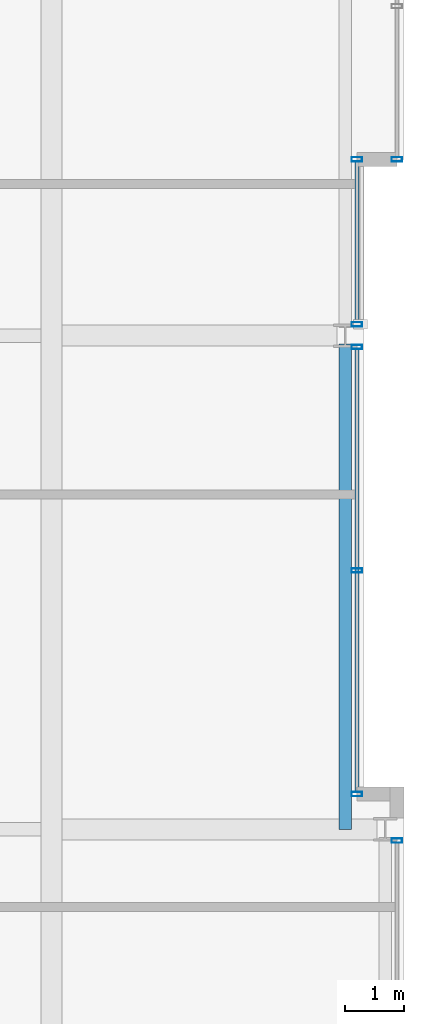
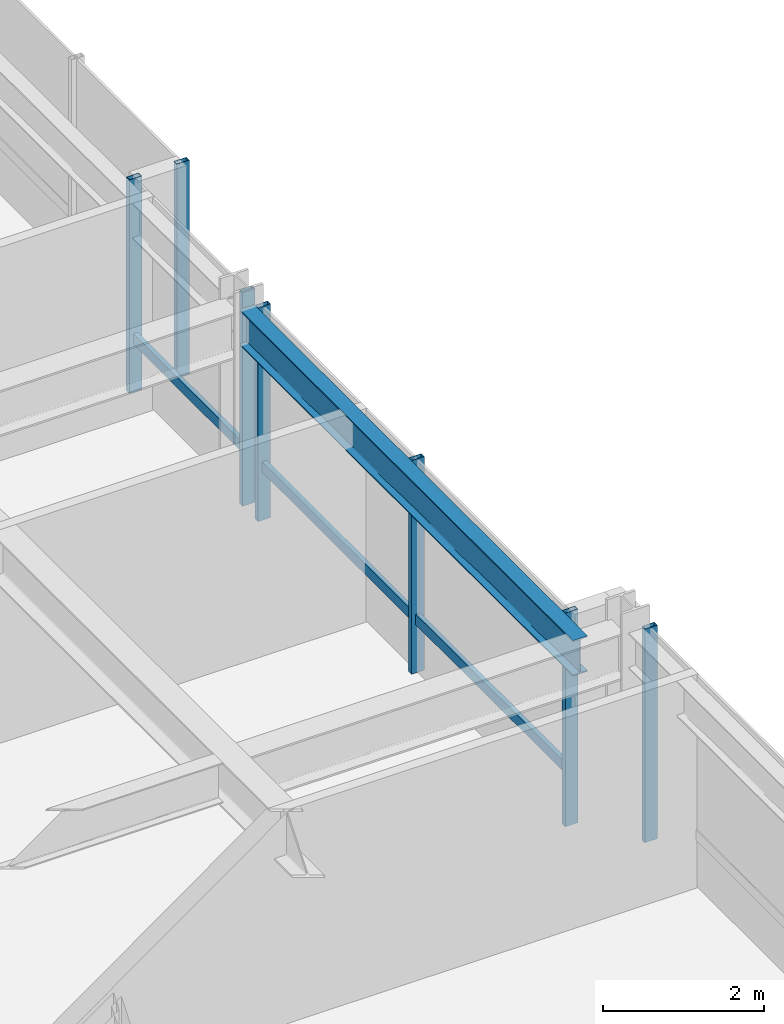
# One storey, part 15 of 33: 9 members, 1 beam, 4 elements without a shape of their own.
"""IFC4 building model written with IfcOpenShell, lengths in metres."""

import ifcopenshell
import ifcopenshell.guid

model = None  # the IFC model being written
_history = None  # IfcOwnerHistory: only IFC2X3 demands one
_inside = {}  # id of a spatial element -> (the spatial element, [elements in it])
_under = {}  # id of a project, library or spatial element -> (it, [spatial elements below it])
_declared = {}  # id of a project -> (the project, [libraries it declares])
_typed = {}  # id of a type object -> (the type object, [elements of that type])
_made_of = {}  # id of a material, layer set ... -> (it, [elements and type objects made of it])


def new_model(schema):
    """Start an empty IFC model of exactly this schema.

    Asked for "IFC4X3", IfcOpenShell would pick the latest addendum, in which some entities
    have other attributes; the version numbers below select the first issue.
    IFC2X3 requires an IfcOwnerHistory on every rooted entity: one is made here for all.
    """
    global model, _history
    if schema == "IFC4X3":
        model = ifcopenshell.file(schema_version=(4, 3, 0, 0))
    else:
        model = ifcopenshell.file(schema=schema)
    _inside.clear()
    _under.clear()
    _declared.clear()
    _typed.clear()
    _made_of.clear()
    _history = None
    if model.schema == "IFC2X3":
        org = make("IfcOrganization", Name="unknown")
        user = make(
            "IfcPersonAndOrganization",
            ThePerson=make("IfcPerson", FamilyName="unknown"),
            TheOrganization=org,
        )
        app = make(
            "IfcApplication",
            ApplicationDeveloper=org,
            Version="unknown",
            ApplicationFullName="unknown",
            ApplicationIdentifier="unknown",
        )
        _history = make(
            "IfcOwnerHistory",
            OwningUser=user,
            OwningApplication=app,
            ChangeAction="ADDED",
            CreationDate=0,
        )
    return model


def make(cls, **values):
    """One entity of the class cls with the attributes given. An attribute that is None is left unset."""
    return model.create_entity(
        cls, **{name: value for name, value in values.items() if value is not None}
    )


def rooted(cls, **values):
    """An entity with a GlobalId (a new one), such as an element, a storey or a relation."""
    return make(cls, GlobalId=ifcopenshell.guid.new(), OwnerHistory=_history, **values)


def si_unit(unit_type, name, prefix=None):
    """IfcSIUnit, for example si_unit("LENGTHUNIT", "METRE", prefix="MILLI")."""
    return make("IfcSIUnit", UnitType=unit_type, Prefix=prefix, Name=name)


def assignment(units):
    """IfcUnitAssignment: the units of a project."""
    return None if units is None else make("IfcUnitAssignment", Units=units)


def point(xyz):
    """IfcCartesianPoint."""
    return None if xyz is None else make("IfcCartesianPoint", Coordinates=xyz)


def direction(xyz):
    """IfcDirection."""
    return None if xyz is None else make("IfcDirection", DirectionRatios=xyz)


def frame(location, z_axis=None, x_axis=None):
    """IfcAxis2Placement3D, a coordinate frame: its origin and axes. An axis left out is left unset."""
    return make(
        "IfcAxis2Placement3D",
        Location=point(location),
        Axis=direction(z_axis),
        RefDirection=direction(x_axis),
    )


def frame_2d(location, x_axis=None):
    """IfcAxis2Placement2D, a coordinate frame in the plane: its origin and x axis."""
    return make(
        "IfcAxis2Placement2D", Location=point(location), RefDirection=direction(x_axis)
    )


def origin():
    """The frame at (0, 0, 0) with its axes left unset."""
    return frame((0.0, 0.0, 0.0))


def origin_2d():
    """The frame at (0, 0) in the plane with its x axis left unset."""
    return frame_2d((0.0, 0.0))


def place(relative_to, where):
    """IfcLocalPlacement: puts the frame where relative to a parent placement (None: the world)."""
    return make(
        "IfcLocalPlacement", PlacementRelTo=relative_to, RelativePlacement=where
    )


def context(
    kind, dimensions, precision=None, world=None, true_north=None, identifier=None
):
    """IfcGeometricRepresentationContext, for example the 3D "Model" context."""
    return make(
        "IfcGeometricRepresentationContext",
        ContextIdentifier=identifier,
        ContextType=kind,
        CoordinateSpaceDimension=dimensions,
        Precision=precision,
        WorldCoordinateSystem=world,
        TrueNorth=true_north,
    )


def subcontext(parent, identifier, kind, view, scale=None):
    """IfcGeometricRepresentationSubContext, for example "Body" below "Model"."""
    return make(
        "IfcGeometricRepresentationSubContext",
        ContextIdentifier=identifier,
        ContextType=kind,
        ParentContext=parent,
        TargetScale=scale,
        TargetView=view,
    )


def project(units=None, contexts=None):
    """IfcProject with its units and contexts."""
    return rooted(
        "IfcProject",
        Name="project",
        RepresentationContexts=contexts,
        UnitsInContext=assignment(units),
    )


def spatial(cls, under=None, at=None, **own):
    """A site, building, storey or space (cls), placed at a placement, below another one or the project."""
    s = rooted(cls, ObjectPlacement=at, **own)
    if under is not None:
        _under.setdefault(under.id(), (under, []))[1].append(s)
    return s


def profile(cls, at=None, kind="AREA", **sizes):
    """A parametric profile (cls). Its sizes go by their IFC names, for example OverallWidth=200.0."""
    return make(cls, ProfileType=kind, Position=at, **sizes)


def hollow_rectangle(**sizes):
    """IfcRectangleHollowProfileDef."""
    return profile("IfcRectangleHollowProfileDef", **sizes)


def i_section(**sizes):
    """IfcIShapeProfileDef."""
    return profile("IfcIShapeProfileDef", **sizes)


def extrude(swept, where, along, depth):
    """IfcExtrudedAreaSolid: the profile swept, set in the frame where, extruded along a direction by depth."""
    return make(
        "IfcExtrudedAreaSolid",
        SweptArea=swept,
        Position=where,
        ExtrudedDirection=direction(along),
        Depth=depth,
    )


def shape(context_of_items, identifier, shape_type, items):
    """IfcShapeRepresentation: the items that make up one representation, for example the "Body"."""
    return make(
        "IfcShapeRepresentation",
        ContextOfItems=context_of_items,
        RepresentationIdentifier=identifier,
        RepresentationType=shape_type,
        Items=items,
    )


def material(Name=None, Category=None):
    """IfcMaterial."""
    return make("IfcMaterial", Name=Name, Category=Category)


def layer(
    of_material, thickness, ventilated=None, Name=None, Category=None, Priority=None
):
    """IfcMaterialLayer: one layer of a wall or slab, of a material (None: an air gap)."""
    return make(
        "IfcMaterialLayer",
        Material=of_material,
        LayerThickness=thickness,
        IsVentilated=ventilated,
        Name=Name,
        Category=Category,
        Priority=Priority,
    )


def layer_set(layers, Name=None):
    """IfcMaterialLayerSet."""
    return make("IfcMaterialLayerSet", MaterialLayers=layers, LayerSetName=Name)


def material_profile(
    of_material, cross_section, Name=None, Category=None, Priority=None
):
    """IfcMaterialProfile: a cross section and its material."""
    return make(
        "IfcMaterialProfile",
        Name=Name,
        Material=of_material,
        Profile=cross_section,
        Priority=Priority,
        Category=Category,
    )


def profile_set(profiles, Name=None, composite=None):
    """IfcMaterialProfileSet."""
    return make(
        "IfcMaterialProfileSet",
        Name=Name,
        MaterialProfiles=profiles,
        CompositeProfile=composite,
    )


def made_of(thing, what):
    """Note that an element or type object is made of a material, layer set ...; save() writes the relation."""
    if what is not None:
        _made_of.setdefault(what.id(), (what, []))[1].append(thing)
    return thing


def type_object(cls, material=None, **own):
    """A type object (cls), such as IfcWallType, which elements share."""
    return made_of(rooted(cls, **own), material)


def element(
    cls,
    number,
    at=None,
    inside=None,
    cuts=None,
    type_object=None,
    material=None,
    context=None,
    identifier="Body",
    shape_type=None,
    held_by="IfcProductDefinitionShape",
    body=None,
    shapes=None,
    **own,
):
    """One element of the class cls, such as IfcWall. Its Tag is "e" and its number.

    at: its placement. inside: the storey or other place that contains it. cuts: it is an
    opening in that element (IfcRelVoidsElement). A single representation is given by context,
    identifier, shape_type and body (its items); several are given by shapes. held_by: the class
    of the entity that holds the representations. save() writes the other relations.
    """
    e = rooted(cls, Tag="e%d" % number, ObjectPlacement=at, **own)
    if body is not None:
        shapes = [shape(context, identifier, shape_type, body)]
    if shapes is not None:
        e.Representation = make(held_by, Representations=shapes)
    if inside is not None:
        _inside.setdefault(inside.id(), (inside, []))[1].append(e)
    if cuts is not None:
        rooted(
            "IfcRelVoidsElement", RelatingBuildingElement=cuts, RelatedOpeningElement=e
        )
    if type_object is not None:
        _typed.setdefault(type_object.id(), (type_object, []))[1].append(e)
    return made_of(e, material)


def aggregate(whole, parts):
    """IfcRelAggregates: a whole, such as a stair, and the parts it consists of."""
    return rooted("IfcRelAggregates", RelatingObject=whole, RelatedObjects=parts)


def save(model, path):
    """Write the relations noted so far, then the file.

    IfcRelAggregates (storeys below a building ...), IfcRelContainedInSpatialStructure (elements
    in a storey), IfcRelDefinesByType, IfcRelAssociatesMaterial and IfcRelDeclares: one each for
    every whole, place, type object, material and project.
    """
    for whole, parts in _under.values():
        aggregate(whole, parts)
    for where, things in _inside.values():
        rooted(
            "IfcRelContainedInSpatialStructure",
            RelatedElements=things,
            RelatingStructure=where,
        )
    for kind, things in _typed.values():
        rooted("IfcRelDefinesByType", RelatedObjects=things, RelatingType=kind)
    for what, things in _made_of.values():
        rooted("IfcRelAssociatesMaterial", RelatedObjects=things, RelatingMaterial=what)
    for by, libraries in _declared.values():
        rooted("IfcRelDeclares", RelatingContext=by, RelatedDefinitions=libraries)
    model.write(path)


model = new_model("IFC4")

# Units and contexts
model_context = context("Model", 3, precision=1e-05, world=origin(), true_north=direction((0.0, 1.0)))
body_context = subcontext(model_context, "Body", "Model", "MODEL_VIEW")
ifc_project = project(units=[si_unit("LENGTHUNIT", "METRE"), si_unit("AREAUNIT", "SQUARE_METRE"), si_unit("VOLUMEUNIT", "CUBIC_METRE"), si_unit("PLANEANGLEUNIT", "RADIAN"), si_unit("MASSUNIT", "GRAM", prefix="KILO")], contexts=[model_context])

# Site, building, storey
site_placement = place(None, origin())
site = spatial("IfcSite", under=ifc_project, at=site_placement, CompositionType="ELEMENT")
building_placement = place(site_placement, origin())
building = spatial("IfcBuilding", under=site, at=building_placement, Name="Drelvath Grand Hotel", CompositionType="ELEMENT")
storey_placement = place(building_placement, frame((0.0, 0.0, 196.550048828125)))
storey = spatial("IfcBuildingStorey", under=building, at=storey_placement, Name="L51", CompositionType="ELEMENT", Elevation=196.550048828125)

# Curtain wall, member
ifc_material_1 = material(Name="Brushed Pale-Silver Anodised Aluminium Frame", Category="aluminium")
ifc_layer = layer(ifc_material_1, 0.199951171875)
ifc_layer_set = layer_set([ifc_layer], Name="Brushed Pale-Silver Anodised Aluminium Frame")
curtain_wall_type = type_object("IfcCurtainWallType", Name="Stick Curtain Wall CW-04 Brushed Silver Upper-Mid", PredefinedType="NOTDEFINED", material=ifc_layer_set)
curtain_wall_1_placement = place(storey_placement, origin())
curtain_wall_1 = element("IfcCurtainWall", 1, at=curtain_wall_1_placement, inside=storey, type_object=curtain_wall_type, Name="L51 CW-04 Curtain Wall CW04-L51-EM1", PredefinedType="NOTDEFINED")
ifc_material_profile_1 = material_profile(ifc_material_1, hollow_rectangle(XDim=0.06494140625, YDim=0.159912109375, WallThickness=0.00390625, at=origin_2d()), Name="HSS160X65X4")
ifc_profile_set_1 = profile_set([ifc_material_profile_1], Name="Brushed Pale-Silver Anodised Aluminium Frame")
member_type_1 = type_object("IfcMemberType", Name="Curtain Wall Horizontal Transom CW-04 HSS160X65X4", PredefinedType="USERDEFINED", material=ifc_profile_set_1)
member_1_placement = place(storey_placement, frame((21.39990234375, 26.768310546875, 0.807373046875), z_axis=(0.0, -1.0, 0.0), x_axis=(1.0, 0.0, 0.0)))
member_1 = element("IfcMember", 2, at=member_1_placement, type_object=member_type_1, Name="CW04-L51-EM1 Sill Transom", ObjectType="TRANSOM", PredefinedType="USERDEFINED", context=body_context, shape_type="SweptSolid", body=[
    extrude(hollow_rectangle(XDim=0.06494140625, YDim=0.159912109375, WallThickness=0.00390625, at=origin_2d()), origin(), (0.0, 0.0, 1.0), 7.5283203125),
])

curtain_wall_2_placement = place(storey_placement, origin())
curtain_wall_2 = element("IfcCurtainWall", 3, at=curtain_wall_2_placement, inside=storey, type_object=curtain_wall_type, Name="L51 CW-04 Curtain Wall CW04-L51-EM2", PredefinedType="NOTDEFINED")
member_2_placement = place(storey_placement, frame((21.39990234375, 29.9599609375, 0.807373046875), z_axis=(0.0, -1.0, 0.0), x_axis=(1.0, 0.0, 0.0)))
member_2 = element("IfcMember", 4, at=member_2_placement, type_object=member_type_1, Name="CW04-L51-EM2 Sill Transom", ObjectType="TRANSOM", PredefinedType="USERDEFINED", context=body_context, shape_type="SweptSolid", body=[
    extrude(hollow_rectangle(XDim=0.06494140625, YDim=0.159912109375, WallThickness=0.00390625, at=origin_2d()), origin(), (0.0, 0.0, 1.0), 2.728271484375),
])

curtain_wall_3_placement = place(storey_placement, origin())
curtain_wall_3 = element("IfcCurtainWall", 5, at=curtain_wall_3_placement, inside=storey, type_object=curtain_wall_type, Name="L51 CW-04 Curtain Wall CW04-L51-EN1", PredefinedType="NOTDEFINED")
ifc_material_profile_2 = material_profile(ifc_material_1, hollow_rectangle(XDim=0.074951171875, YDim=0.179931640625, WallThickness=0.0048828125, at=origin_2d()), Name="HSS180X75X5")
ifc_profile_set_2 = profile_set([ifc_material_profile_2], Name="Brushed Pale-Silver Anodised Aluminium Frame")
member_type_2 = type_object("IfcMemberType", Name="Curtain Wall Vertical Mullion CW-04 HSS180X75X5", PredefinedType="MULLION", material=ifc_profile_set_2)
member_3_placement = place(storey_placement, frame((22.080078125, 30.0, 0.0), z_axis=(0.0, 0.0, 1.0), x_axis=(0.0, 1.0, 0.0)))
member_3 = element("IfcMember", 6, at=member_3_placement, type_object=member_type_2, Name="CW04-L51-EN1 Mullion 3", PredefinedType="MULLION", context=body_context, shape_type="SweptSolid", body=[
    extrude(hollow_rectangle(XDim=0.074951171875, YDim=0.179931640625, WallThickness=0.0048828125, at=origin_2d()), origin(), (0.0, 0.0, 1.0), 3.22998046875),
])
aggregate(curtain_wall_3, [member_3])

# Member
member_4_placement = place(storey_placement, frame((21.39990234375, 26.808349609375, 0.0), z_axis=(0.0, 0.0, 1.0), x_axis=(0.0, 1.0, 0.0)))
member_4 = element("IfcMember", 7, at=member_4_placement, type_object=member_type_2, Name="CW04-L51-EM1 Mullion 1", PredefinedType="MULLION", context=body_context, shape_type="SweptSolid", body=[
    extrude(hollow_rectangle(XDim=0.074951171875, YDim=0.179931640625, WallThickness=0.0048828125, at=origin_2d()), origin(), (0.0, 0.0, 1.0), 3.22998046875),
])

member_5_placement = place(storey_placement, frame((21.39990234375, 23.004150390625, 0.0), z_axis=(0.0, 0.0, 1.0), x_axis=(0.0, 1.0, 0.0)))
member_5 = element("IfcMember", 8, at=member_5_placement, type_object=member_type_2, Name="CW04-L51-EM1 Mullion 2", PredefinedType="MULLION", context=body_context, shape_type="SweptSolid", body=[
    extrude(hollow_rectangle(XDim=0.074951171875, YDim=0.179931640625, WallThickness=0.0048828125, at=origin_2d()), origin(), (0.0, 0.0, 1.0), 3.22998046875),
])

member_6_placement = place(storey_placement, frame((21.39990234375, 19.199951171875, 0.0), z_axis=(0.0, 0.0, 1.0), x_axis=(0.0, 1.0, 0.0)))
member_6 = element("IfcMember", 9, at=member_6_placement, type_object=member_type_2, Name="CW04-L51-EM1 Mullion 3", PredefinedType="MULLION", context=body_context, shape_type="SweptSolid", body=[
    extrude(hollow_rectangle(XDim=0.074951171875, YDim=0.179931640625, WallThickness=0.0048828125, at=origin_2d()), origin(), (0.0, 0.0, 1.0), 3.22998046875),
])

aggregate(curtain_wall_1, [member_4, member_5, member_6, member_1])

member_7_placement = place(storey_placement, frame((21.39990234375, 30.0, 0.0), z_axis=(0.0, 0.0, 1.0), x_axis=(0.0, 1.0, 0.0)))
member_7 = element("IfcMember", 10, at=member_7_placement, type_object=member_type_2, Name="CW04-L51-EM2 Mullion 1", PredefinedType="MULLION", context=body_context, shape_type="SweptSolid", body=[
    extrude(hollow_rectangle(XDim=0.074951171875, YDim=0.179931640625, WallThickness=0.0048828125, at=origin_2d()), origin(), (0.0, 0.0, 1.0), 3.22998046875),
])

member_8_placement = place(storey_placement, frame((21.39990234375, 27.191650390625, 0.0), z_axis=(0.0, 0.0, 1.0), x_axis=(0.0, 1.0, 0.0)))
member_8 = element("IfcMember", 11, at=member_8_placement, type_object=member_type_2, Name="CW04-L51-EM2 Mullion 2", PredefinedType="MULLION", context=body_context, shape_type="SweptSolid", body=[
    extrude(hollow_rectangle(XDim=0.074951171875, YDim=0.179931640625, WallThickness=0.0048828125, at=origin_2d()), origin(), (0.0, 0.0, 1.0), 3.22998046875),
])

aggregate(curtain_wall_2, [member_7, member_8, member_2])

# Curtain wall, member
curtain_wall_4_placement = place(storey_placement, origin())
curtain_wall_4 = element("IfcCurtainWall", 12, at=curtain_wall_4_placement, inside=storey, type_object=curtain_wall_type, Name="L51 CW-04 Curtain Wall CW04-L51-ES2", PredefinedType="NOTDEFINED")
member_9_placement = place(storey_placement, frame((22.080078125, 18.408447265625, 0.0), z_axis=(0.0, 0.0, 1.0), x_axis=(0.0, 1.0, 0.0)))
member_9 = element("IfcMember", 13, at=member_9_placement, type_object=member_type_2, Name="CW04-L51-ES2 Mullion 1", PredefinedType="MULLION", context=body_context, shape_type="SweptSolid", body=[
    extrude(hollow_rectangle(XDim=0.074951171875, YDim=0.179931640625, WallThickness=0.0048828125, at=origin_2d()), origin(), (0.0, 0.0, 1.0), 3.22998046875),
])
aggregate(curtain_wall_4, [member_9])

# Beam
ifc_material_2 = material(Name="Steel ASTM A992 Gr 50", Category="steel")
ifc_material_profile_3 = material_profile(ifc_material_2, i_section(OverallWidth=0.210205078125, OverallDepth=0.53662109375, WebThickness=0.010986328125, FlangeThickness=0.017333984375, FilletRadius=0.01806640625, at=origin_2d()), Name="W21X68")
ifc_profile_set_3 = profile_set([ifc_material_profile_3], Name="Steel ASTM A992 Gr 50")
beam_type = type_object("IfcBeamType", Name="Perimeter Spandrel Beam W21X68", PredefinedType="SPANDREL", material=ifc_profile_set_3)
beam_placement = place(storey_placement, frame((21.199951171875, 18.60009765625, 2.961669921875), z_axis=(0.0, 1.0, 0.0), x_axis=(-1.0, 0.0, 0.0)))
element("IfcBeam", 14, at=beam_placement, inside=storey, type_object=beam_type, Name="L51 Spandrel East Mid S", PredefinedType="SPANDREL", context=body_context, shape_type="SweptSolid", body=[
    extrude(i_section(OverallWidth=0.210205078125, OverallDepth=0.53662109375, WebThickness=0.010986328125, FlangeThickness=0.017333984375, FilletRadius=0.01806640625, at=origin_2d()), origin(), (0.0, 0.0, 1.0), 8.260009765625),
])

save(model, "model.ifc")
